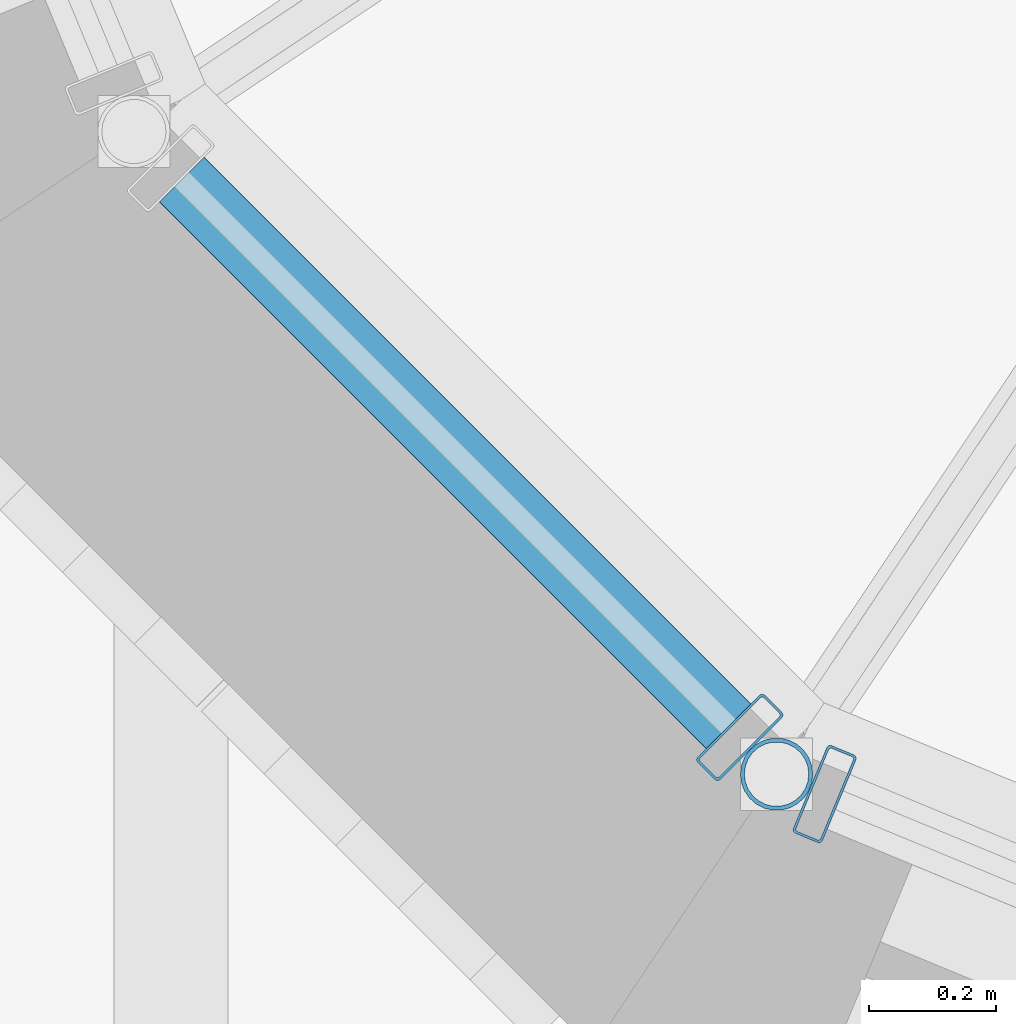
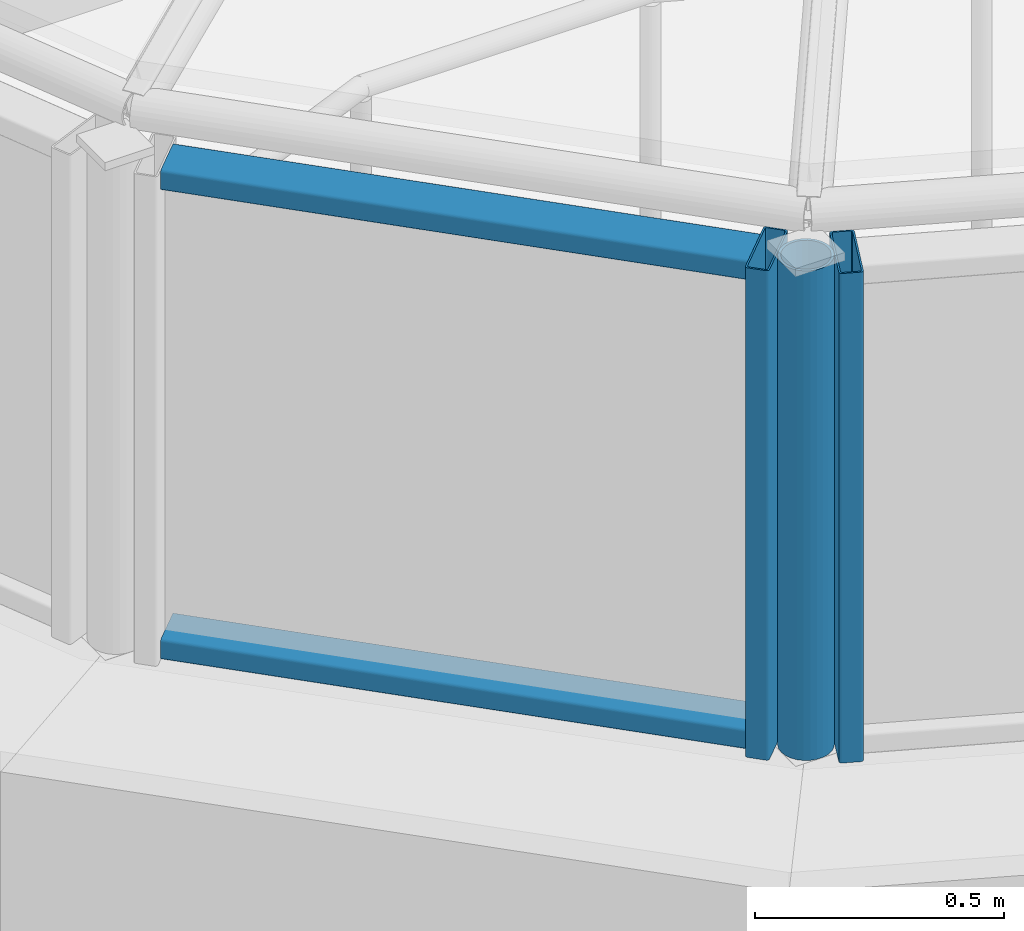
# One storey, part 10 of 98: 5 members, 2 elements without a shape of their own.
"""IFC4 building model written with IfcOpenShell, lengths in metres."""

import ifcopenshell
import ifcopenshell.guid

model = None  # the IFC model being written
_history = None  # IfcOwnerHistory: only IFC2X3 demands one
_inside = {}  # id of a spatial element -> (the spatial element, [elements in it])
_under = {}  # id of a project, library or spatial element -> (it, [spatial elements below it])
_declared = {}  # id of a project -> (the project, [libraries it declares])
_typed = {}  # id of a type object -> (the type object, [elements of that type])
_made_of = {}  # id of a material, layer set ... -> (it, [elements and type objects made of it])


def new_model(schema):
    """Start an empty IFC model of exactly this schema.

    Asked for "IFC4X3", IfcOpenShell would pick the latest addendum, in which some entities
    have other attributes; the version numbers below select the first issue.
    IFC2X3 requires an IfcOwnerHistory on every rooted entity: one is made here for all.
    """
    global model, _history
    if schema == "IFC4X3":
        model = ifcopenshell.file(schema_version=(4, 3, 0, 0))
    else:
        model = ifcopenshell.file(schema=schema)
    _inside.clear()
    _under.clear()
    _declared.clear()
    _typed.clear()
    _made_of.clear()
    _history = None
    if model.schema == "IFC2X3":
        org = make("IfcOrganization", Name="unknown")
        user = make(
            "IfcPersonAndOrganization",
            ThePerson=make("IfcPerson", FamilyName="unknown"),
            TheOrganization=org,
        )
        app = make(
            "IfcApplication",
            ApplicationDeveloper=org,
            Version="unknown",
            ApplicationFullName="unknown",
            ApplicationIdentifier="unknown",
        )
        _history = make(
            "IfcOwnerHistory",
            OwningUser=user,
            OwningApplication=app,
            ChangeAction="ADDED",
            CreationDate=0,
        )
    return model


def make(cls, **values):
    """One entity of the class cls with the attributes given. An attribute that is None is left unset."""
    return model.create_entity(
        cls, **{name: value for name, value in values.items() if value is not None}
    )


def rooted(cls, **values):
    """An entity with a GlobalId (a new one), such as an element, a storey or a relation."""
    return make(cls, GlobalId=ifcopenshell.guid.new(), OwnerHistory=_history, **values)


def si_unit(unit_type, name, prefix=None):
    """IfcSIUnit, for example si_unit("LENGTHUNIT", "METRE", prefix="MILLI")."""
    return make("IfcSIUnit", UnitType=unit_type, Prefix=prefix, Name=name)


def assignment(units):
    """IfcUnitAssignment: the units of a project."""
    return None if units is None else make("IfcUnitAssignment", Units=units)


def point(xyz):
    """IfcCartesianPoint."""
    return None if xyz is None else make("IfcCartesianPoint", Coordinates=xyz)


def direction(xyz):
    """IfcDirection."""
    return None if xyz is None else make("IfcDirection", DirectionRatios=xyz)


def frame(location, z_axis=None, x_axis=None):
    """IfcAxis2Placement3D, a coordinate frame: its origin and axes. An axis left out is left unset."""
    return make(
        "IfcAxis2Placement3D",
        Location=point(location),
        Axis=direction(z_axis),
        RefDirection=direction(x_axis),
    )


def frame_2d(location, x_axis=None):
    """IfcAxis2Placement2D, a coordinate frame in the plane: its origin and x axis."""
    return make(
        "IfcAxis2Placement2D", Location=point(location), RefDirection=direction(x_axis)
    )


def origin():
    """The frame at (0, 0, 0) with its axes left unset."""
    return frame((0.0, 0.0, 0.0))


def origin_2d():
    """The frame at (0, 0) in the plane with its x axis left unset."""
    return frame_2d((0.0, 0.0))


def place(relative_to, where):
    """IfcLocalPlacement: puts the frame where relative to a parent placement (None: the world)."""
    return make(
        "IfcLocalPlacement", PlacementRelTo=relative_to, RelativePlacement=where
    )


def context(
    kind, dimensions, precision=None, world=None, true_north=None, identifier=None
):
    """IfcGeometricRepresentationContext, for example the 3D "Model" context."""
    return make(
        "IfcGeometricRepresentationContext",
        ContextIdentifier=identifier,
        ContextType=kind,
        CoordinateSpaceDimension=dimensions,
        Precision=precision,
        WorldCoordinateSystem=world,
        TrueNorth=true_north,
    )


def subcontext(parent, identifier, kind, view, scale=None):
    """IfcGeometricRepresentationSubContext, for example "Body" below "Model"."""
    return make(
        "IfcGeometricRepresentationSubContext",
        ContextIdentifier=identifier,
        ContextType=kind,
        ParentContext=parent,
        TargetScale=scale,
        TargetView=view,
    )


def project(units=None, contexts=None):
    """IfcProject with its units and contexts."""
    return rooted(
        "IfcProject",
        Name="project",
        RepresentationContexts=contexts,
        UnitsInContext=assignment(units),
    )


def spatial(cls, under=None, at=None, **own):
    """A site, building, storey or space (cls), placed at a placement, below another one or the project."""
    s = rooted(cls, ObjectPlacement=at, **own)
    if under is not None:
        _under.setdefault(under.id(), (under, []))[1].append(s)
    return s


def profile(cls, at=None, kind="AREA", **sizes):
    """A parametric profile (cls). Its sizes go by their IFC names, for example OverallWidth=200.0."""
    return make(cls, ProfileType=kind, Position=at, **sizes)


def hollow_rectangle(**sizes):
    """IfcRectangleHollowProfileDef."""
    return profile("IfcRectangleHollowProfileDef", **sizes)


def hollow_circle(**sizes):
    """IfcCircleHollowProfileDef."""
    return profile("IfcCircleHollowProfileDef", **sizes)


def extrude(swept, where, along, depth):
    """IfcExtrudedAreaSolid: the profile swept, set in the frame where, extruded along a direction by depth."""
    return make(
        "IfcExtrudedAreaSolid",
        SweptArea=swept,
        Position=where,
        ExtrudedDirection=direction(along),
        Depth=depth,
    )


def shape(context_of_items, identifier, shape_type, items):
    """IfcShapeRepresentation: the items that make up one representation, for example the "Body"."""
    return make(
        "IfcShapeRepresentation",
        ContextOfItems=context_of_items,
        RepresentationIdentifier=identifier,
        RepresentationType=shape_type,
        Items=items,
    )


def material(Name=None, Category=None):
    """IfcMaterial."""
    return make("IfcMaterial", Name=Name, Category=Category)


def material_profile(
    of_material, cross_section, Name=None, Category=None, Priority=None
):
    """IfcMaterialProfile: a cross section and its material."""
    return make(
        "IfcMaterialProfile",
        Name=Name,
        Material=of_material,
        Profile=cross_section,
        Priority=Priority,
        Category=Category,
    )


def profile_set(profiles, Name=None, composite=None):
    """IfcMaterialProfileSet."""
    return make(
        "IfcMaterialProfileSet",
        Name=Name,
        MaterialProfiles=profiles,
        CompositeProfile=composite,
    )


def made_of(thing, what):
    """Note that an element or type object is made of a material, layer set ...; save() writes the relation."""
    if what is not None:
        _made_of.setdefault(what.id(), (what, []))[1].append(thing)
    return thing


def type_object(cls, material=None, **own):
    """A type object (cls), such as IfcWallType, which elements share."""
    return made_of(rooted(cls, **own), material)


def element(
    cls,
    number,
    at=None,
    inside=None,
    cuts=None,
    type_object=None,
    material=None,
    context=None,
    identifier="Body",
    shape_type=None,
    held_by="IfcProductDefinitionShape",
    body=None,
    shapes=None,
    **own,
):
    """One element of the class cls, such as IfcWall. Its Tag is "e" and its number.

    at: its placement. inside: the storey or other place that contains it. cuts: it is an
    opening in that element (IfcRelVoidsElement). A single representation is given by context,
    identifier, shape_type and body (its items); several are given by shapes. held_by: the class
    of the entity that holds the representations. save() writes the other relations.
    """
    e = rooted(cls, Tag="e%d" % number, ObjectPlacement=at, **own)
    if body is not None:
        shapes = [shape(context, identifier, shape_type, body)]
    if shapes is not None:
        e.Representation = make(held_by, Representations=shapes)
    if inside is not None:
        _inside.setdefault(inside.id(), (inside, []))[1].append(e)
    if cuts is not None:
        rooted(
            "IfcRelVoidsElement", RelatingBuildingElement=cuts, RelatedOpeningElement=e
        )
    if type_object is not None:
        _typed.setdefault(type_object.id(), (type_object, []))[1].append(e)
    return made_of(e, material)


def aggregate(whole, parts):
    """IfcRelAggregates: a whole, such as a stair, and the parts it consists of."""
    return rooted("IfcRelAggregates", RelatingObject=whole, RelatedObjects=parts)


def save(model, path):
    """Write the relations noted so far, then the file.

    IfcRelAggregates (storeys below a building ...), IfcRelContainedInSpatialStructure (elements
    in a storey), IfcRelDefinesByType, IfcRelAssociatesMaterial and IfcRelDeclares: one each for
    every whole, place, type object, material and project.
    """
    for whole, parts in _under.values():
        aggregate(whole, parts)
    for where, things in _inside.values():
        rooted(
            "IfcRelContainedInSpatialStructure",
            RelatedElements=things,
            RelatingStructure=where,
        )
    for kind, things in _typed.values():
        rooted("IfcRelDefinesByType", RelatedObjects=things, RelatingType=kind)
    for what, things in _made_of.values():
        rooted("IfcRelAssociatesMaterial", RelatedObjects=things, RelatingMaterial=what)
    for by, libraries in _declared.values():
        rooted("IfcRelDeclares", RelatingContext=by, RelatedDefinitions=libraries)
    model.write(path)


model = new_model("IFC4")

# Units and contexts
model_context = context("Model", 3, precision=1e-05, world=origin(), true_north=direction((0.0, 1.0)))
body_context = subcontext(model_context, "Body", "Model", "MODEL_VIEW")
ifc_project = project(units=[si_unit("LENGTHUNIT", "METRE"), si_unit("AREAUNIT", "SQUARE_METRE"), si_unit("VOLUMEUNIT", "CUBIC_METRE"), si_unit("PLANEANGLEUNIT", "RADIAN"), si_unit("MASSUNIT", "GRAM", prefix="KILO")], contexts=[model_context])

# Site, building, storey
site_placement = place(None, origin())
site = spatial("IfcSite", under=ifc_project, at=site_placement, CompositionType="ELEMENT")
building_placement = place(site_placement, origin())
building = spatial("IfcBuilding", under=site, at=building_placement, Name="Sun Court Science Centre", CompositionType="ELEMENT")
storey_placement = place(building_placement, frame((0.0, 0.0, 15.75)))
storey = spatial("IfcBuildingStorey", under=building, at=storey_placement, Name="L03", CompositionType="ELEMENT", Elevation=15.75)

# Curtain wall, member
ifc_material_1 = material(Name="Aluminium EN AW-6063 T6", Category="aluminium")
curtain_wall_type = type_object("IfcCurtainWallType", Name="Lantern clerestory curtain wall 1500", PredefinedType="NOTDEFINED", material=ifc_material_1)
curtain_wall_1_placement = place(storey_placement, origin())
curtain_wall_1 = element("IfcCurtainWall", 1, at=curtain_wall_1_placement, inside=storey, type_object=curtain_wall_type, Name="Curtain wall V2 C6 clerestory L03 10", PredefinedType="NOTDEFINED")
ifc_material_2 = material(Name="Aluminium EN AW-6063 T6", Category="aluminium")
ifc_material_profile_1 = material_profile(ifc_material_2, hollow_rectangle(XDim=0.050048828125, YDim=0.14990234375, WallThickness=0.00390625, InnerFilletRadius=0.00390625, OuterFilletRadius=0.006103515625, at=origin_2d()), Name="AL 50x150x4")
ifc_profile_set_1 = profile_set([ifc_material_profile_1], Name="Aluminium EN AW-6063 T6")
member_type_1 = type_object("IfcMemberType", Name="Curtain wall mullion AL 50x150", PredefinedType="MULLION", material=ifc_profile_set_1)
member_1_placement = place(storey_placement, frame((63.8984375, 19.499755859375, 3.050048828125), z_axis=(0.0, 0.0, 1.0), x_axis=(-0.707106781187, 0.707106781187, 0.0)))
member_1 = element("IfcMember", 2, at=member_1_placement, type_object=member_type_1, Name="CW4-90 mullion 1", PredefinedType="MULLION", context=body_context, shape_type="SweptSolid", body=[
    extrude(hollow_rectangle(XDim=0.050048828125, YDim=0.14990234375, WallThickness=0.00390625, InnerFilletRadius=0.00390625, OuterFilletRadius=0.006103515625, at=origin_2d()), origin(), (0.0, 0.0, 1.0), 1.199951171875),
])

curtain_wall_2_placement = place(storey_placement, origin())
curtain_wall_2 = element("IfcCurtainWall", 3, at=curtain_wall_2_placement, inside=storey, type_object=curtain_wall_type, Name="Curtain wall V2 C6 clerestory L03 11", PredefinedType="NOTDEFINED")
member_2_placement = place(storey_placement, frame((64.032470703125, 19.41015625, 3.050048828125), z_axis=(0.0, 0.0, 1.0), x_axis=(-0.923879532511, 0.382683432365, 0.0)))
member_2 = element("IfcMember", 4, at=member_2_placement, type_object=member_type_1, Name="CW4-91 mullion 2", PredefinedType="MULLION", context=body_context, shape_type="SweptSolid", body=[
    extrude(hollow_rectangle(XDim=0.050048828125, YDim=0.14990234375, WallThickness=0.00390625, InnerFilletRadius=0.00390625, OuterFilletRadius=0.006103515625, at=origin_2d()), origin(), (0.0, 0.0, 1.0), 1.199951171875),
])
aggregate(curtain_wall_2, [member_2])

# Member
ifc_material_3 = material(Name="Aluminium EN AW-6063 T6", Category="aluminium")
ifc_material_profile_2 = material_profile(ifc_material_3, hollow_rectangle(XDim=0.050048828125, YDim=0.10009765625, WallThickness=0.00390625, InnerFilletRadius=0.00390625, OuterFilletRadius=0.006103515625, at=origin_2d()), Name="AL 50x100x4")
ifc_profile_set_2 = profile_set([ifc_material_profile_2], Name="Aluminium EN AW-6063 T6")
member_type_2 = type_object("IfcMemberType", Name="Curtain wall transom AL 50x100", PredefinedType="USERDEFINED", material=ifc_profile_set_2)
member_3_placement = place(storey_placement, frame((63.880615234375, 19.517333984375, 3.074951171875), z_axis=(-0.707106781187, 0.707106781187, 0.0), x_axis=(0.0, 0.0, 1.0)))
member_3 = element("IfcMember", 5, at=member_3_placement, type_object=member_type_2, Name="CW4-90 transom 1.1", ObjectType="TRANSOM", PredefinedType="USERDEFINED", context=body_context, shape_type="SweptSolid", body=[
    extrude(hollow_rectangle(XDim=0.050048828125, YDim=0.10009765625, WallThickness=0.00390625, InnerFilletRadius=0.00390625, OuterFilletRadius=0.006103515625, at=origin_2d()), origin(), (0.0, 0.0, 1.0), 1.220947265625),
])

member_4_placement = place(storey_placement, frame((63.880615234375, 19.517333984375, 4.22509765625), z_axis=(-0.707106781187, 0.707106781187, 0.0), x_axis=(0.0, 0.0, 1.0)))
member_4 = element("IfcMember", 6, at=member_4_placement, type_object=member_type_2, Name="CW4-90 transom 1.2", ObjectType="TRANSOM", PredefinedType="USERDEFINED", context=body_context, shape_type="SweptSolid", body=[
    extrude(hollow_rectangle(XDim=0.050048828125, YDim=0.10009765625, WallThickness=0.00390625, InnerFilletRadius=0.00390625, OuterFilletRadius=0.006103515625, at=origin_2d()), origin(), (0.0, 0.0, 1.0), 1.220947265625),
])

aggregate(curtain_wall_1, [member_1, member_3, member_4])

ifc_material_4 = material(Name="Steel S355", Category="steel")
ifc_material_profile_3 = material_profile(ifc_material_4, hollow_circle(Radius=0.05712890625, WallThickness=0.00634765625, at=origin_2d()), Name="CHS 114.3x6.3")
ifc_profile_set_3 = profile_set([ifc_material_profile_3], Name="Steel S355")
member_type_3 = type_object("IfcMemberType", Name="Lantern post CHS 114.3x6.3", PredefinedType="POST", material=ifc_profile_set_3)
member_5_placement = place(storey_placement, frame((63.95654296875, 19.441650390625, 3.050048828125), z_axis=(0.0, 0.0, 1.0), x_axis=(1.0, 0.0, 0.0)))
element("IfcMember", 7, at=member_5_placement, inside=storey, type_object=member_type_3, Name="Cone 6 clerestory post 11", PredefinedType="POST", context=body_context, shape_type="SweptSolid", body=[
    extrude(hollow_circle(Radius=0.05712890625, WallThickness=0.00634765625, at=origin_2d()), origin(), (0.0, 0.0, 1.0), 1.199951171875),
])

save(model, "model.ifc")
